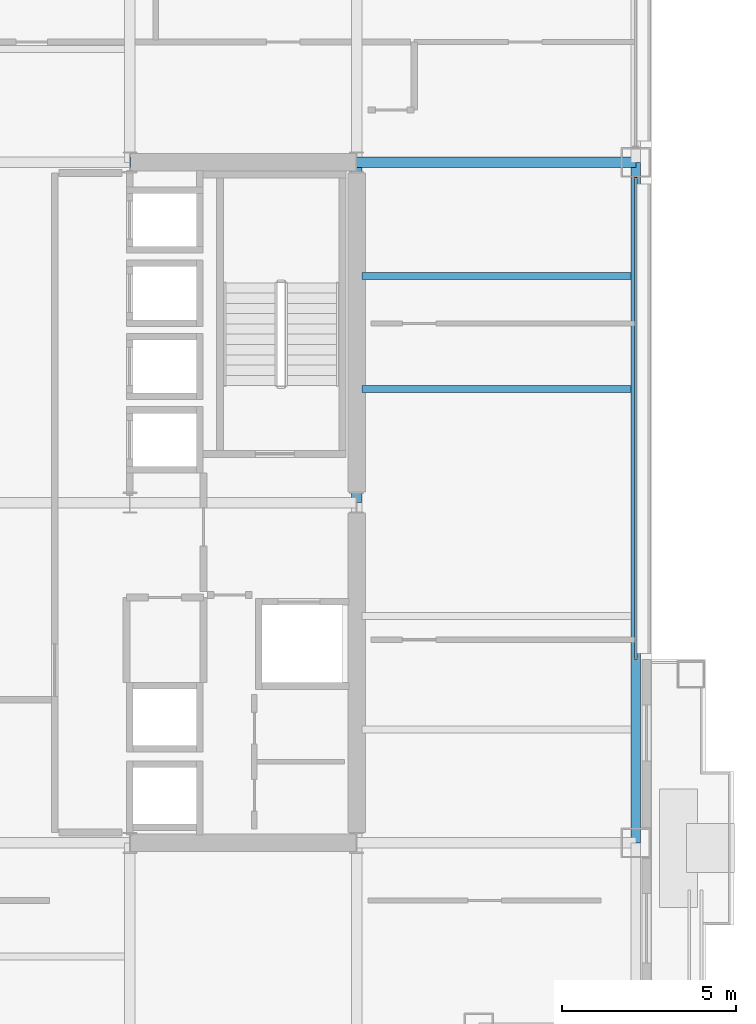
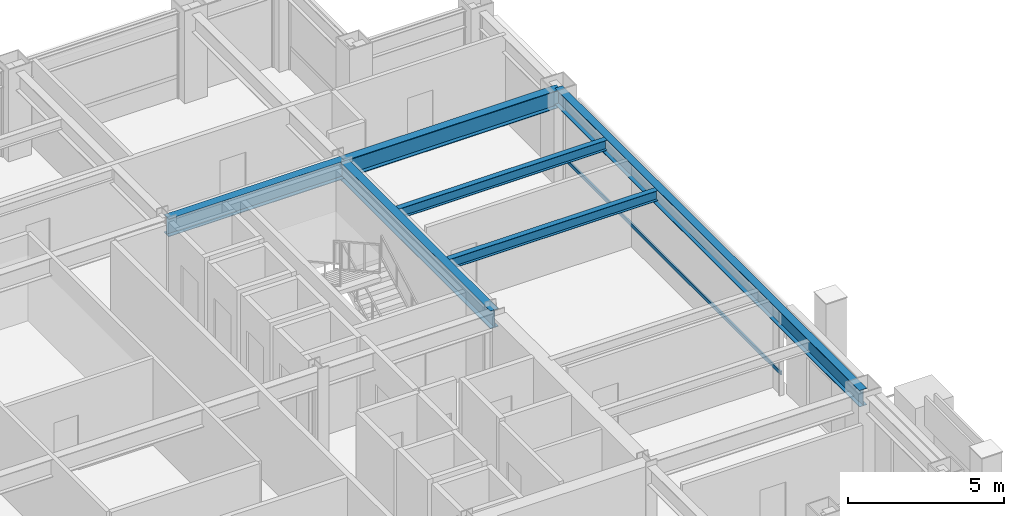
# One storey, part 15 of 30: 6 beams, 1 member, 1 element without a shape of its own.
"""IFC4 building model written with IfcOpenShell, lengths in metres."""

from ifc_helpers import new_model, si_unit, direction, frame, origin, origin_2d, place, context, subcontext, project, spatial, hollow_rectangle, i_section, extrude, material, layer, layer_set, material_profile, profile_set, type_object, element, aggregate, save


model = new_model("IFC4")

# Units and contexts
model_context = context("Model", 3, precision=1e-05, world=origin(), true_north=direction((0.0, 1.0)))
body_context = subcontext(model_context, "Body", "Model", "MODEL_VIEW")
ifc_project = project(units=[si_unit("LENGTHUNIT", "METRE"), si_unit("AREAUNIT", "SQUARE_METRE"), si_unit("VOLUMEUNIT", "CUBIC_METRE"), si_unit("PLANEANGLEUNIT", "RADIAN"), si_unit("MASSUNIT", "GRAM", prefix="KILO")], contexts=[model_context])

# Site, building, storey
site_placement = place(None, origin())
site = spatial("IfcSite", under=ifc_project, at=site_placement, CompositionType="ELEMENT")
building_placement = place(site_placement, origin())
building = spatial("IfcBuilding", under=site, at=building_placement, Name="Brelmoor Portico Tower", CompositionType="ELEMENT")
storey_placement = place(building_placement, frame((0.0, 0.0, 102.60009765625)))
storey = spatial("IfcBuildingStorey", under=building, at=storey_placement, Name="L26", CompositionType="ELEMENT", Elevation=102.60009765625)

# Beams
ifc_material_1 = material(Name="Steel Q355B", Category="steel")
ifc_material_profile_1 = material_profile(ifc_material_1, i_section(OverallWidth=0.199951171875, OverallDepth=0.39990234375, WebThickness=0.008056640625, FlangeThickness=0.012939453125, at=origin_2d()), Name="HN 400x200x8x13")
ifc_profile_set_1 = profile_set([ifc_material_profile_1], Name="Steel Q355B")
beam_type_1 = type_object("IfcBeamType", Name="BM-JS-400", PredefinedType="JOIST", material=ifc_profile_set_1)
for number, where, z_axis, x_axis, name in (
    (1, (14.699951171875, 3.25, 3.199951171875), (1.0, 0.0, 0.0), (0.0, 1.0, 0.0), "L26 Secondary Wing Joist JS-E11"),
    (2, (14.699951171875, 6.5, 3.199951171875), (1.0, 0.0, 0.0), (0.0, 1.0, 0.0), "L26 Secondary Wing Joist JS-E12"),
):
    element("IfcBeam", number, at=place(storey_placement, frame(where, z_axis=z_axis, x_axis=x_axis)), inside=storey, type_object=beam_type_1, Name=name, PredefinedType="JOIST", context=body_context, shape_type="SweptSolid", body=[
        extrude(i_section(OverallWidth=0.199951171875, OverallDepth=0.39990234375, WebThickness=0.008056640625, FlangeThickness=0.012939453125, at=origin_2d()), origin(), (0.0, 0.0, 1.0), 7.7099609375),
    ])
ifc_material_profile_2 = material_profile(ifc_material_1, i_section(OverallWidth=0.300048828125, OverallDepth=0.699951171875, WebThickness=0.012939453125, FlangeThickness=0.02392578125, at=origin_2d()), Name="HN 700x300x13x24")
ifc_profile_set_2 = profile_set([ifc_material_profile_2], Name="Steel Q355B")
beam_type_2 = type_object("IfcBeamType", Name="BM-PG-700", PredefinedType="BEAM", material=ifc_profile_set_2)
beam_1_placement = place(storey_placement, frame((14.550048828125, 0.0, 3.0498046875), z_axis=(0.0, 1.0, 0.0), x_axis=(-1.0, 0.0, 0.0)))
element("IfcBeam", 3, at=beam_1_placement, inside=storey, type_object=beam_type_2, Name="L26 Primary Floor Girder PG-12", PredefinedType="BEAM", context=body_context, shape_type="SweptSolid", body=[
    extrude(i_section(OverallWidth=0.300048828125, OverallDepth=0.699951171875, WebThickness=0.012939453125, FlangeThickness=0.02392578125, at=origin_2d()), origin(), (0.0, 0.0, 1.0), 9.75),
])
beam_2_placement = place(storey_placement, frame((8.050048828125, 9.75, 3.0498046875), z_axis=(1.0, 0.0, 0.0), x_axis=(0.0, 1.0, 0.0)))
element("IfcBeam", 4, at=beam_2_placement, inside=storey, type_object=beam_type_2, Name="L26 Primary Floor Girder PG-25", PredefinedType="BEAM", context=body_context, shape_type="SweptSolid", body=[
    extrude(i_section(OverallWidth=0.300048828125, OverallDepth=0.699951171875, WebThickness=0.012939453125, FlangeThickness=0.02392578125, at=origin_2d()), origin(), (0.0, 0.0, 1.0), 6.5),
])
beam_3_placement = place(storey_placement, frame((14.550048828125, 9.75, 3.0498046875), z_axis=(1.0, 0.0, 0.0), x_axis=(0.0, 1.0, 0.0)))
element("IfcBeam", 5, at=beam_3_placement, inside=storey, type_object=beam_type_2, Name="L26 Primary Floor Girder PG-26", PredefinedType="BEAM", context=body_context, shape_type="SweptSolid", body=[
    extrude(i_section(OverallWidth=0.300048828125, OverallDepth=0.699951171875, WebThickness=0.012939453125, FlangeThickness=0.02392578125, at=origin_2d()), origin(), (0.0, 0.0, 1.0), 8.0),
])
ifc_material_profile_3 = material_profile(ifc_material_1, i_section(OverallWidth=0.280029296875, OverallDepth=0.64990234375, WebThickness=0.012939453125, FlangeThickness=0.02197265625, at=origin_2d()), Name="HN 650x280x13x22")
ifc_profile_set_3 = profile_set([ifc_material_profile_3], Name="Steel Q355B")
beam_type_3 = type_object("IfcBeamType", Name="BM-SP-650", PredefinedType="SPANDREL", material=ifc_profile_set_3)
beam_4_placement = place(storey_placement, frame((22.550048828125, -9.75, 3.074951171875), z_axis=(0.0, 1.0, 0.0), x_axis=(-1.0, 0.0, 0.0)))
element("IfcBeam", 6, at=beam_4_placement, inside=storey, type_object=beam_type_3, Name="L26 Perimeter Spandrel Beam SP-23", PredefinedType="SPANDREL", context=body_context, shape_type="SweptSolid", body=[
    extrude(i_section(OverallWidth=0.280029296875, OverallDepth=0.64990234375, WebThickness=0.012939453125, FlangeThickness=0.02197265625, at=origin_2d()), origin(), (0.0, 0.0, 1.0), 19.5),
])

# Curtain wall, member
ifc_material_2 = material(Name="Anodised Aluminium Alloy 6063-T6", Category="aluminium")
ifc_layer = layer(ifc_material_2, 0.179931640625)
ifc_layer_set = layer_set([ifc_layer], Name="Anodised Aluminium Alloy 6063-T6")
curtain_wall_type = type_object("IfcCurtainWallType", Name="CW-TOWER-Z2", PredefinedType="NOTDEFINED", material=ifc_layer_set)
curtain_wall_placement = place(storey_placement, origin())
curtain_wall = element("IfcCurtainWall", 7, at=curtain_wall_placement, inside=storey, type_object=curtain_wall_type, Name="L26 Curtain Wall CW-L26-4R-1", PredefinedType="NOTDEFINED")
ifc_material_profile_4 = material_profile(ifc_material_2, hollow_rectangle(XDim=0.06494140625, YDim=0.139892578125, WallThickness=0.00390625, at=origin_2d()), Name="ALU TRANSOM 65x140")
ifc_profile_set_4 = profile_set([ifc_material_profile_4], Name="Anodised Aluminium Alloy 6063-T6")
member_type = type_object("IfcMemberType", Name="MB-CW-TRAN-140", PredefinedType="USERDEFINED", material=ifc_profile_set_4)
member_placement = place(storey_placement, frame((22.550048828125, -4.5, 0.849853515625), z_axis=(0.0, 1.0, 0.0), x_axis=(-1.0, 0.0, 0.0)))
member = element("IfcMember", 8, at=member_placement, type_object=member_type, Name="CW-L26-4R-1 Transom 1-00", ObjectType="TRANSOM", PredefinedType="USERDEFINED", context=body_context, shape_type="SweptSolid", body=[
    extrude(hollow_rectangle(XDim=0.06494140625, YDim=0.139892578125, WallThickness=0.00390625, at=origin_2d()), origin(), (0.0, 0.0, 1.0), 13.81494140625),
])
aggregate(curtain_wall, [member])

save(model, "model.ifc")
